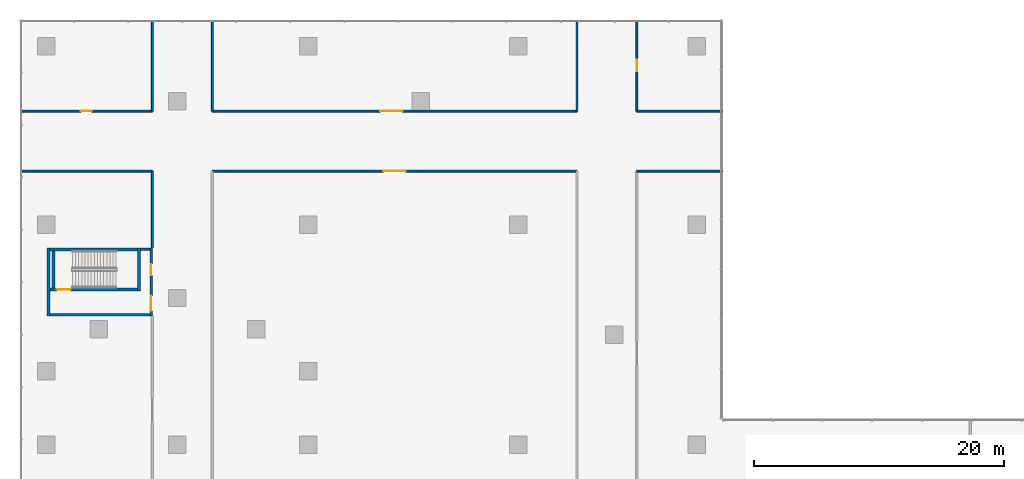
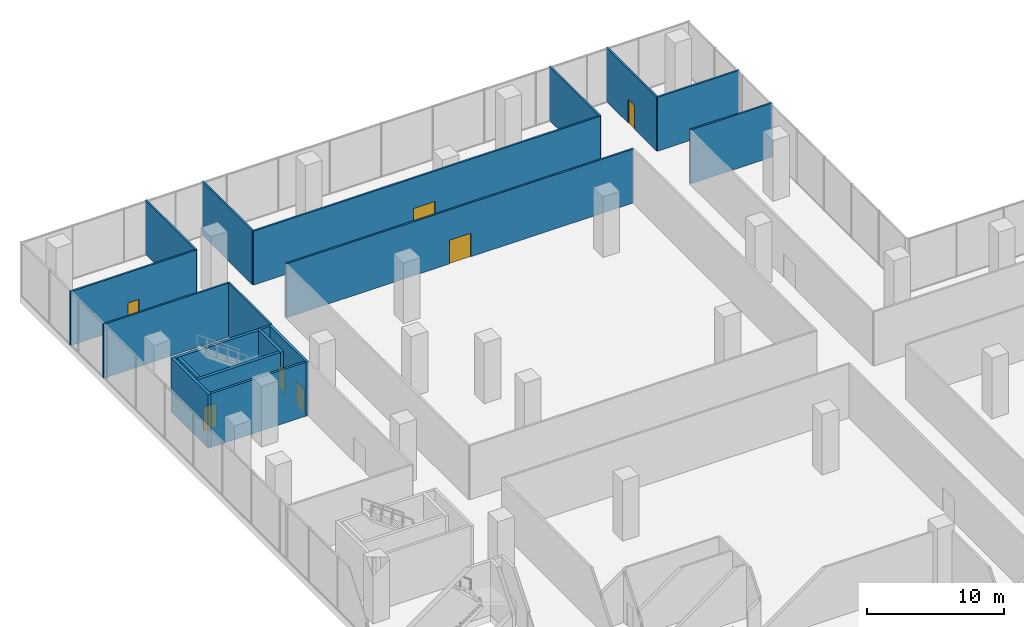
# One storey, part 17 of 22: 19 walls, 7 doors, 7 openings.
"""IFC4 building model written with IfcOpenShell, lengths in metres."""

from ifc_helpers import new_model, si_unit, direction, frame, frame_2d, origin, place, context, subcontext, project, spatial, rectangle, extrude, source, transform, mapped, material, layer, layer_set, type_object, element, fill, save


model = new_model("IFC4")

# Units and contexts
model_context = context("Model", 3, precision=1e-05, world=origin(), true_north=direction((0.0, 1.0)))
body_context = subcontext(model_context, "Body", "Model", "MODEL_VIEW")
ifc_project = project(units=[si_unit("LENGTHUNIT", "METRE"), si_unit("AREAUNIT", "SQUARE_METRE"), si_unit("VOLUMEUNIT", "CUBIC_METRE"), si_unit("PLANEANGLEUNIT", "RADIAN"), si_unit("MASSUNIT", "GRAM", prefix="KILO")], contexts=[model_context])

# Site, building, storey
site_placement = place(None, origin())
site = spatial("IfcSite", under=ifc_project, at=site_placement, CompositionType="ELEMENT")
building_placement = place(site_placement, origin())
building = spatial("IfcBuilding", under=site, at=building_placement, Name="Aurelian Terraces", CompositionType="ELEMENT")
storey_placement = place(building_placement, frame((0.0, 0.0, 7.5)))
storey = spatial("IfcBuildingStorey", under=building, at=storey_placement, Name="L01", CompositionType="ELEMENT", Elevation=7.5)

# Walls
ifc_material_1 = material(Name="Gypsum board on steel studs", Category="steel")
ifc_layer_1 = layer(ifc_material_1, 0.15)
ifc_layer_set_1 = layer_set([ifc_layer_1], Name="Special partition 150")
wall_type_1 = type_object("IfcWallType", Name="Special partition 150", PredefinedType="PARTITIONING", material=ifc_layer_set_1)
wall_1_placement = place(storey_placement, frame((47.3, 74.0, 0.0), z_axis=(0.0, 0.0, 1.0), x_axis=(1.0, 0.0, 0.0)))
element("IfcWall", 1, at=wall_1_placement, inside=storey, type_object=wall_type_1, Name="L01 partition W22", PredefinedType="PARTITIONING", context=body_context, shape_type="SweptSolid", body=[
    extrude(rectangle(XDim=6.88, YDim=0.15, at=frame_2d((3.44, 0.0))), origin(), (0.0, 0.0, 1.0), 4.8),
])
wall_2_placement = place(storey_placement, frame((8.5, 67.85, 0.0), z_axis=(0.0, 0.0, 1.0), x_axis=(0.0, 1.0, 0.0)))
element("IfcWall", 2, at=wall_2_placement, inside=storey, type_object=wall_type_1, Name="L01 partition W29", PredefinedType="PARTITIONING", context=body_context, shape_type="SweptSolid", body=[
    extrude(rectangle(XDim=6.15, YDim=0.15, at=frame_2d((3.075, 0.0))), origin(), (0.0, 0.0, 1.0), 4.8),
])

# Wall, opening, door
ifc_material_2 = material(Name="Concrete fc' 40 MPa", Category="concrete")
ifc_layer_2 = layer(ifc_material_2, 0.25)
ifc_layer_set_2 = layer_set([ifc_layer_2], Name="Stair enclosure wall 250")
wall_type_2 = type_object("IfcWallType", Name="Stair enclosure wall 250", PredefinedType="SOLIDWALL", material=ifc_layer_set_2)
shared_shape_1 = source(origin(), body_context, "Body", "SweptSolid", [
    extrude(rectangle(XDim=7.0, YDim=0.25, at=frame_2d((3.5, 0.0))), origin(), (0.0, 0.0, 1.0), 4.8),
])
wall_3_placement = place(storey_placement, frame((0.3, 64.525, 0.0), z_axis=(0.0, 0.0, 1.0), x_axis=(1.0, 0.0, 0.0)))
wall_3 = element("IfcWall", 3, at=wall_3_placement, inside=storey, type_object=wall_type_2, Name="L01 core wall ST-S5-W", PredefinedType="SOLIDWALL", context=body_context, shape_type="MappedRepresentation", body=[
    mapped(shared_shape_1, transform((0.0, 0.0, 0.0), scale=1.0)),
])
shared_shape_2 = source(origin(), body_context, "Body", "SweptSolid", [
    extrude(rectangle(XDim=1.1, YDim=2.1, at=frame_2d((0.55, 1.05))), frame((0.0, 0.135, 0.0), z_axis=(0.0, -1.0, 0.0), x_axis=(1.0, 0.0, 0.0)), (0.0, 0.0, 1.0), 0.27),
])
opening_1_placement = place(wall_3_placement, frame((0.55, 0.0, 0.0)))
opening_1 = element("IfcOpeningElement", 4, at=opening_1_placement, cuts=wall_3, Name="Opening 60424", PredefinedType="OPENING", context=body_context, shape_type="MappedRepresentation", body=[
    mapped(shared_shape_2, transform((0.0, 0.0, 0.0), scale=1.0)),
])
ifc_material_3 = material(Name="Steel door leaf", Category="steel")
door_type_1 = type_object("IfcDoorType", Name="Core fire door 1100x2100", OperationType="SINGLE_SWING_LEFT", PredefinedType="DOOR", material=ifc_material_3)
shared_shape_3 = source(origin(), body_context, "Body", "SweptSolid", [
    extrude(rectangle(XDim=1.1, YDim=2.1, at=frame_2d((0.55, 1.05))), frame((0.0, 0.025, 0.0), z_axis=(0.0, -1.0, 0.0), x_axis=(1.0, 0.0, 0.0)), (0.0, 0.0, 1.0), 0.05),
])
door_1_placement = place(opening_1_placement, origin())
door_1 = element("IfcDoor", 5, at=door_1_placement, inside=storey, type_object=door_type_1, Name="Stair door 60424", OperationType="SINGLE_SWING_LEFT", OverallHeight=2.1, OverallWidth=1.1, PredefinedType="DOOR", context=body_context, shape_type="MappedRepresentation", body=[
    mapped(shared_shape_3, transform((0.0, 0.0, 0.0), scale=1.0)),
])
fill(opening_1, door_1)

# Walls
wall_4_placement = place(storey_placement, frame((0.3, 67.725, 0.0), z_axis=(0.0, 0.0, 1.0), x_axis=(1.0, 0.0, 0.0)))
element("IfcWall", 6, at=wall_4_placement, inside=storey, type_object=wall_type_2, Name="L01 core wall ST-S5-E", PredefinedType="SOLIDWALL", context=body_context, shape_type="MappedRepresentation", body=[
    mapped(shared_shape_1, transform((0.0, 0.0, 0.0), scale=1.0)),
])
shared_shape_4 = source(origin(), body_context, "Body", "SweptSolid", [
    extrude(rectangle(XDim=3.45, YDim=0.25, at=frame_2d((1.725, 0.0))), origin(), (0.0, 0.0, 1.0), 4.8),
])
wall_5_placement = place(storey_placement, frame((7.425, 64.4, 0.0), z_axis=(0.0, 0.0, 1.0), x_axis=(0.0, 1.0, 0.0)))
element("IfcWall", 7, at=wall_5_placement, inside=storey, type_object=wall_type_2, Name="L01 core wall ST-S5-N", PredefinedType="SOLIDWALL", context=body_context, shape_type="MappedRepresentation", body=[
    mapped(shared_shape_4, transform((0.0, 0.0, 0.0), scale=1.0)),
])
shared_shape_5 = source(origin(), body_context, "Body", "SweptSolid", [
    extrude(rectangle(XDim=2.95, YDim=0.25, at=frame_2d((1.475, 0.0))), origin(), (0.0, 0.0, 1.0), 4.8),
])
wall_6_placement = place(storey_placement, frame((0.575, 64.65, 0.0), z_axis=(0.0, 0.0, 1.0), x_axis=(0.0, 1.0, 0.0)))
element("IfcWall", 8, at=wall_6_placement, inside=storey, type_object=wall_type_2, Name="L01 core wall ST-S5-SS", PredefinedType="SOLIDWALL", context=body_context, shape_type="MappedRepresentation", body=[
    mapped(shared_shape_5, transform((0.0, 0.0, 0.0), scale=1.0)),
])
ifc_layer_3 = layer(ifc_material_1, 0.2)
ifc_layer_set_3 = layer_set([ifc_layer_3], Name="Core partition 200")
wall_type_3 = type_object("IfcWallType", Name="Core partition 200", PredefinedType="PARTITIONING", material=ifc_layer_set_3)
shared_shape_6 = source(origin(), body_context, "Body", "SweptSolid", [
    extrude(rectangle(XDim=8.0, YDim=0.2, at=frame_2d((4.0, 0.0))), origin(), (0.0, 0.0, 1.0), 4.8),
])
wall_7_placement = place(storey_placement, frame((0.3, 62.5, 0.0), z_axis=(0.0, 0.0, 1.0), x_axis=(1.0, 0.0, 0.0)))
element("IfcWall", 9, at=wall_7_placement, inside=storey, type_object=wall_type_3, Name="L01 core wall ST-S5-VW", PredefinedType="PARTITIONING", context=body_context, shape_type="MappedRepresentation", body=[
    mapped(shared_shape_6, transform((0.0, 0.0, 0.0), scale=1.0)),
])

# Wall, openings, doors
shared_shape_7 = source(origin(), body_context, "Body", "SweptSolid", [
    extrude(rectangle(XDim=5.45, YDim=0.2, at=frame_2d((2.725, 0.0))), origin(), (0.0, 0.0, 1.0), 4.8),
])
wall_8_placement = place(storey_placement, frame((8.4, 62.4, 0.0), z_axis=(0.0, 0.0, 1.0), x_axis=(0.0, 1.0, 0.0)))
wall_8 = element("IfcWall", 10, at=wall_8_placement, inside=storey, type_object=wall_type_3, Name="L01 core wall ST-S5-BN", PredefinedType="PARTITIONING", context=body_context, shape_type="MappedRepresentation", body=[
    mapped(shared_shape_7, transform((0.0, 0.0, 0.0), scale=1.0)),
])
shared_shape_8 = source(origin(), body_context, "Body", "SweptSolid", [
    extrude(rectangle(XDim=1.2, YDim=2.1, at=frame_2d((0.6, 1.05))), frame((0.0, 0.11, 0.0), z_axis=(0.0, -1.0, 0.0), x_axis=(1.0, 0.0, 0.0)), (0.0, 0.0, 1.0), 0.22),
])
opening_2_placement = place(wall_8_placement, frame((0.4, 0.0, 0.0)))
opening_2 = element("IfcOpeningElement", 11, at=opening_2_placement, cuts=wall_8, Name="Opening 60425", PredefinedType="OPENING", context=body_context, shape_type="MappedRepresentation", body=[
    mapped(shared_shape_8, transform((0.0, 0.0, 0.0), scale=1.0)),
])
shared_shape_9 = source(origin(), body_context, "Body", "SweptSolid", [
    extrude(rectangle(XDim=0.9, YDim=2.1, at=frame_2d((0.45, 1.05))), frame((0.0, 0.11, 0.0), z_axis=(0.0, -1.0, 0.0), x_axis=(1.0, 0.0, 0.0)), (0.0, 0.0, 1.0), 0.22),
])
opening_3_placement = place(wall_8_placement, frame((3.25, 0.0, 0.0)))
opening_3 = element("IfcOpeningElement", 12, at=opening_3_placement, cuts=wall_8, Name="Opening 60426", PredefinedType="OPENING", context=body_context, shape_type="MappedRepresentation", body=[
    mapped(shared_shape_9, transform((0.0, 0.0, 0.0), scale=1.0)),
])
door_type_2 = type_object("IfcDoorType", Name="Core riser door 900x2100", OperationType="SINGLE_SWING_LEFT", PredefinedType="DOOR", material=ifc_material_3)
shared_shape_10 = source(origin(), body_context, "Body", "SweptSolid", [
    extrude(rectangle(XDim=0.9, YDim=2.1, at=frame_2d((0.45, 1.05))), frame((0.0, 0.025, 0.0), z_axis=(0.0, -1.0, 0.0), x_axis=(1.0, 0.0, 0.0)), (0.0, 0.0, 1.0), 0.05),
])
door_2_placement = place(opening_3_placement, origin())
door_2 = element("IfcDoor", 13, at=door_2_placement, inside=storey, type_object=door_type_2, Name="Riser door 60426", OperationType="SINGLE_SWING_LEFT", OverallHeight=2.1, OverallWidth=0.9, PredefinedType="DOOR", context=body_context, shape_type="MappedRepresentation", body=[
    mapped(shared_shape_10, transform((0.0, 0.0, 0.0), scale=1.0)),
])
fill(opening_3, door_2)
door_type_3 = type_object("IfcDoorType", Name="Core fire door 1200x2100 right", OperationType="SINGLE_SWING_RIGHT", PredefinedType="DOOR", material=ifc_material_3)
shared_shape_11 = source(origin(), body_context, "Body", "SweptSolid", [
    extrude(rectangle(XDim=1.2, YDim=2.1, at=frame_2d((0.6, 1.05))), frame((0.0, 0.025, 0.0), z_axis=(0.0, -1.0, 0.0), x_axis=(1.0, 0.0, 0.0)), (0.0, 0.0, 1.0), 0.05),
])
door_3_placement = place(opening_2_placement, origin())
door_3 = element("IfcDoor", 14, at=door_3_placement, inside=storey, type_object=door_type_3, Name="Vestibule door 60425", OperationType="SINGLE_SWING_RIGHT", OverallHeight=2.1, OverallWidth=1.2, PredefinedType="DOOR", context=body_context, shape_type="MappedRepresentation", body=[
    mapped(shared_shape_11, transform((0.0, 0.0, 0.0), scale=1.0)),
])
fill(opening_2, door_3)

# Walls
shared_shape_12 = source(origin(), body_context, "Body", "SweptSolid", [
    extrude(rectangle(XDim=0.75, YDim=0.2, at=frame_2d((0.375, 0.0))), origin(), (0.0, 0.0, 1.0), 4.8),
])
wall_9_placement = place(storey_placement, frame((7.55, 67.75, 0.0), z_axis=(0.0, 0.0, 1.0), x_axis=(1.0, 0.0, 0.0)))
element("IfcWall", 15, at=wall_9_placement, inside=storey, type_object=wall_type_3, Name="L01 core wall ST-S5-RE", PredefinedType="PARTITIONING", context=body_context, shape_type="MappedRepresentation", body=[
    mapped(shared_shape_12, transform((0.0, 0.0, 0.0), scale=1.0)),
])
shared_shape_13 = source(origin(), body_context, "Body", "SweptSolid", [
    extrude(rectangle(XDim=5.45, YDim=0.25, at=frame_2d((2.725, 0.0))), origin(), (0.0, 0.0, 1.0), 4.8),
])
wall_10_placement = place(storey_placement, frame((0.175, 62.4, 0.0), z_axis=(0.0, 0.0, 1.0), x_axis=(0.0, 1.0, 0.0)))
element("IfcWall", 16, at=wall_10_placement, inside=storey, type_object=wall_type_2, Name="L01 core wall ST-S5-S", PredefinedType="SOLIDWALL", context=body_context, shape_type="MappedRepresentation", body=[
    mapped(shared_shape_13, transform((0.0, 0.0, 0.0), scale=1.0)),
])
shared_shape_14 = source(origin(), body_context, "Body", "SweptSolid", [
    extrude(rectangle(XDim=7.3, YDim=0.15, at=frame_2d((3.65, 0.0))), origin(), (0.0, 0.0, 1.0), 4.8),
])
for number, where, z_axis, x_axis, name in (
    (17, (8.5, 78.8, 0.0), (0.0, 0.0, 1.0), (0.0, 1.0, 0.0), "L01 partition W30"),
    (18, (13.3, 78.8, 0.0), (0.0, 0.0, 1.0), (0.0, 1.0, 0.0), "L01 partition W33"),
    (19, (42.5, 78.8, 0.0), (0.0, 0.0, 1.0), (0.0, 1.0, 0.0), "L01 partition W40"),
):
    element("IfcWall", number, at=place(storey_placement, frame(where, z_axis=z_axis, x_axis=x_axis)), inside=storey, type_object=wall_type_1, Name=name, PredefinedType="PARTITIONING", context=body_context, shape_type="MappedRepresentation", body=[
        mapped(shared_shape_14, transform((0.0, 0.0, 0.0), scale=1.0)),
    ])

# Wall, opening, door
wall_11_placement = place(storey_placement, frame((47.3, 78.8, 0.0), z_axis=(0.0, 0.0, 1.0), x_axis=(0.0, 1.0, 0.0)))
wall_11 = element("IfcWall", 20, at=wall_11_placement, inside=storey, type_object=wall_type_1, Name="L01 partition W44", PredefinedType="PARTITIONING", context=body_context, shape_type="MappedRepresentation", body=[
    mapped(shared_shape_14, transform((0.0, 0.0, 0.0), scale=1.0)),
])
shared_shape_15 = source(origin(), body_context, "Body", "SweptSolid", [
    extrude(rectangle(XDim=0.9, YDim=2.1, at=frame_2d((0.45, 1.05))), frame((0.0, 0.085, 0.0), z_axis=(0.0, -1.0, 0.0), x_axis=(1.0, 0.0, 0.0)), (0.0, 0.0, 1.0), 0.17),
])
opening_4_placement = place(wall_11_placement, frame((3.2, 0.0, 0.0)))
opening_4 = element("IfcOpeningElement", 21, at=opening_4_placement, cuts=wall_11, Name="Opening 70415", PredefinedType="OPENING", context=body_context, shape_type="MappedRepresentation", body=[
    mapped(shared_shape_15, transform((0.0, 0.0, 0.0), scale=1.0)),
])
ifc_material_4 = material(Name="Timber door leaf", Category="wood")
door_type_4 = type_object("IfcDoorType", Name="Special door 900x2100", OperationType="SINGLE_SWING_LEFT", PredefinedType="DOOR", material=ifc_material_4)
door_4_placement = place(opening_4_placement, origin())
door_4 = element("IfcDoor", 22, at=door_4_placement, inside=storey, type_object=door_type_4, Name="Door 70415", OperationType="SINGLE_SWING_LEFT", OverallHeight=2.1, OverallWidth=0.9, PredefinedType="DOOR", context=body_context, shape_type="MappedRepresentation", body=[
    mapped(shared_shape_10, transform((0.0, 0.0, 0.0), scale=1.0)),
])
fill(opening_4, door_4)

shared_shape_16 = source(origin(), body_context, "Body", "SweptSolid", [
    extrude(rectangle(XDim=29.2, YDim=0.15, at=frame_2d((14.6, 0.0))), origin(), (0.0, 0.0, 1.0), 4.8),
])
wall_12_placement = place(storey_placement, frame((13.3, 74.0, 0.0), z_axis=(0.0, 0.0, 1.0), x_axis=(1.0, 0.0, 0.0)))
wall_12 = element("IfcWall", 23, at=wall_12_placement, inside=storey, type_object=wall_type_1, Name="L01 partition W21", PredefinedType="PARTITIONING", context=body_context, shape_type="MappedRepresentation", body=[
    mapped(shared_shape_16, transform((0.0, 0.0, 0.0), scale=1.0)),
])
shared_shape_17 = source(origin(), body_context, "Body", "SweptSolid", [
    extrude(rectangle(XDim=1.8, YDim=2.1, at=frame_2d((0.9, 1.05))), frame((0.0, 0.085, 0.0), z_axis=(0.0, -1.0, 0.0), x_axis=(1.0, 0.0, 0.0)), (0.0, 0.0, 1.0), 0.17),
])
opening_5_placement = place(wall_12_placement, frame((13.7, 0.0, 0.0)))
opening_5 = element("IfcOpeningElement", 24, at=opening_5_placement, cuts=wall_12, Name="Opening 70404", PredefinedType="OPENING", context=body_context, shape_type="MappedRepresentation", body=[
    mapped(shared_shape_17, transform((0.0, 0.0, 0.0), scale=1.0)),
])
door_type_5 = type_object("IfcDoorType", Name="Special double door 1800x2100", OperationType="DOUBLE_DOOR_SINGLE_SWING", PredefinedType="DOOR", material=ifc_material_4)
shared_shape_18 = source(origin(), body_context, "Body", "SweptSolid", [
    extrude(rectangle(XDim=1.8, YDim=2.1, at=frame_2d((0.9, 1.05))), frame((0.0, 0.025, 0.0), z_axis=(0.0, -1.0, 0.0), x_axis=(1.0, 0.0, 0.0)), (0.0, 0.0, 1.0), 0.05),
])
door_5_placement = place(opening_5_placement, origin())
door_5 = element("IfcDoor", 25, at=door_5_placement, inside=storey, type_object=door_type_5, Name="Door 70404", OperationType="DOUBLE_DOOR_SINGLE_SWING", OverallHeight=2.1, OverallWidth=1.8, PredefinedType="DOOR", context=body_context, shape_type="MappedRepresentation", body=[
    mapped(shared_shape_18, transform((0.0, 0.0, 0.0), scale=1.0)),
])
fill(opening_5, door_5)

wall_13_placement = place(storey_placement, frame((13.3, 78.8, 0.0), z_axis=(0.0, 0.0, 1.0), x_axis=(1.0, 0.0, 0.0)))
wall_13 = element("IfcWall", 26, at=wall_13_placement, inside=storey, type_object=wall_type_1, Name="L01 partition W24", PredefinedType="PARTITIONING", context=body_context, shape_type="MappedRepresentation", body=[
    mapped(shared_shape_16, transform((0.0, 0.0, 0.0), scale=1.0)),
])
opening_6_placement = place(wall_13_placement, frame((13.45, 0.0, 0.0)))
opening_6 = element("IfcOpeningElement", 27, at=opening_6_placement, cuts=wall_13, Name="Opening 70406", PredefinedType="OPENING", context=body_context, shape_type="MappedRepresentation", body=[
    mapped(shared_shape_17, transform((0.0, 0.0, 0.0), scale=1.0)),
])
door_6_placement = place(opening_6_placement, origin())
door_6 = element("IfcDoor", 28, at=door_6_placement, inside=storey, type_object=door_type_5, Name="Door 70406", OperationType="DOUBLE_DOOR_SINGLE_SWING", OverallHeight=2.1, OverallWidth=1.8, PredefinedType="DOOR", context=body_context, shape_type="MappedRepresentation", body=[
    mapped(shared_shape_18, transform((0.0, 0.0, 0.0), scale=1.0)),
])
fill(opening_6, door_6)

# Wall
shared_shape_19 = source(origin(), body_context, "Body", "SweptSolid", [
    extrude(rectangle(XDim=10.6, YDim=0.15, at=frame_2d((5.3, 0.0))), origin(), (0.0, 0.0, 1.0), 4.8),
])
wall_14_placement = place(storey_placement, frame((-2.1, 74.0, 0.0), z_axis=(0.0, 0.0, 1.0), x_axis=(1.0, 0.0, 0.0)))
element("IfcWall", 29, at=wall_14_placement, inside=storey, type_object=wall_type_1, Name="L01 partition W20", PredefinedType="PARTITIONING", context=body_context, shape_type="MappedRepresentation", body=[
    mapped(shared_shape_19, transform((0.0, 0.0, 0.0), scale=1.0)),
])

# Wall, opening, door
wall_15_placement = place(storey_placement, frame((-2.1, 78.8, 0.0), z_axis=(0.0, 0.0, 1.0), x_axis=(1.0, 0.0, 0.0)))
wall_15 = element("IfcWall", 30, at=wall_15_placement, inside=storey, type_object=wall_type_1, Name="L01 partition W23", PredefinedType="PARTITIONING", context=body_context, shape_type="MappedRepresentation", body=[
    mapped(shared_shape_19, transform((0.0, 0.0, 0.0), scale=1.0)),
])
opening_7_placement = place(wall_15_placement, frame((4.85, 0.0, 0.0)))
opening_7 = element("IfcOpeningElement", 31, at=opening_7_placement, cuts=wall_15, Name="Opening 70405", PredefinedType="OPENING", context=body_context, shape_type="MappedRepresentation", body=[
    mapped(shared_shape_15, transform((0.0, 0.0, 0.0), scale=1.0)),
])
door_7_placement = place(opening_7_placement, origin())
door_7 = element("IfcDoor", 32, at=door_7_placement, inside=storey, type_object=door_type_4, Name="Door 70405", OperationType="SINGLE_SWING_LEFT", OverallHeight=2.1, OverallWidth=0.9, PredefinedType="DOOR", context=body_context, shape_type="MappedRepresentation", body=[
    mapped(shared_shape_10, transform((0.0, 0.0, 0.0), scale=1.0)),
])
fill(opening_7, door_7)

# Wall
shared_shape_20 = source(origin(), body_context, "Body", "SweptSolid", [
    extrude(rectangle(XDim=6.88, YDim=0.15, at=frame_2d((3.44, 0.0))), origin(), (0.0, 0.0, 1.0), 4.8),
])
wall_16_placement = place(storey_placement, frame((47.3, 78.8, 0.0), z_axis=(0.0, 0.0, 1.0), x_axis=(1.0, 0.0, 0.0)))
element("IfcWall", 33, at=wall_16_placement, inside=storey, type_object=wall_type_1, Name="L01 partition W25", PredefinedType="PARTITIONING", context=body_context, shape_type="MappedRepresentation", body=[
    mapped(shared_shape_20, transform((0.0, 0.0, 0.0), scale=1.0)),
])

save(model, "model.ifc")
